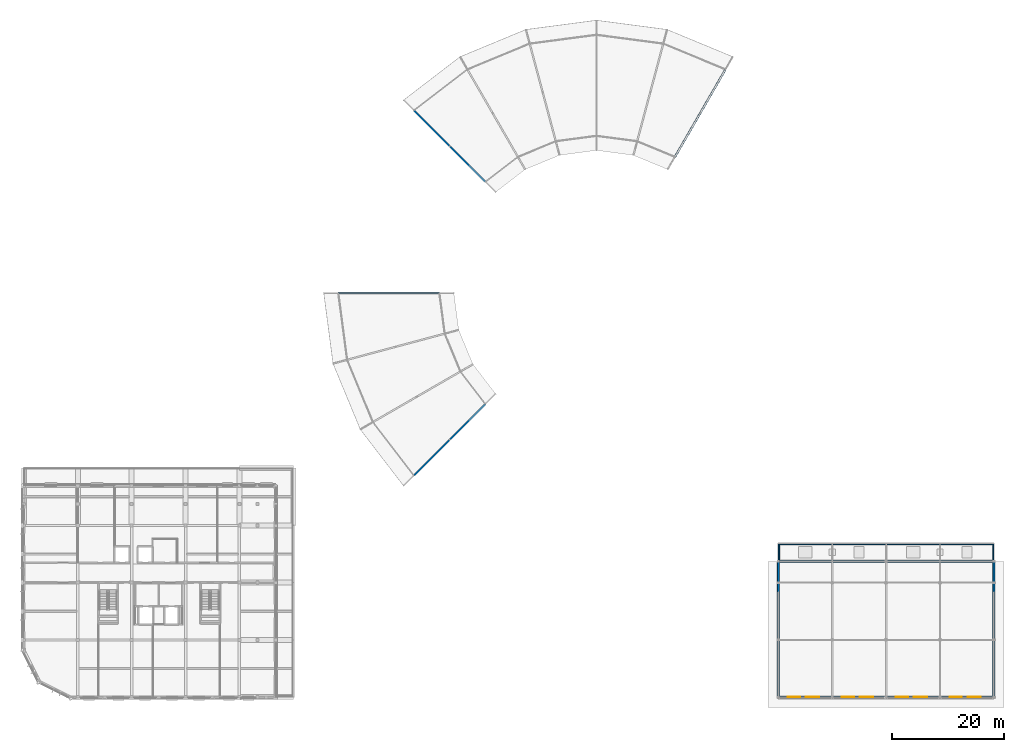
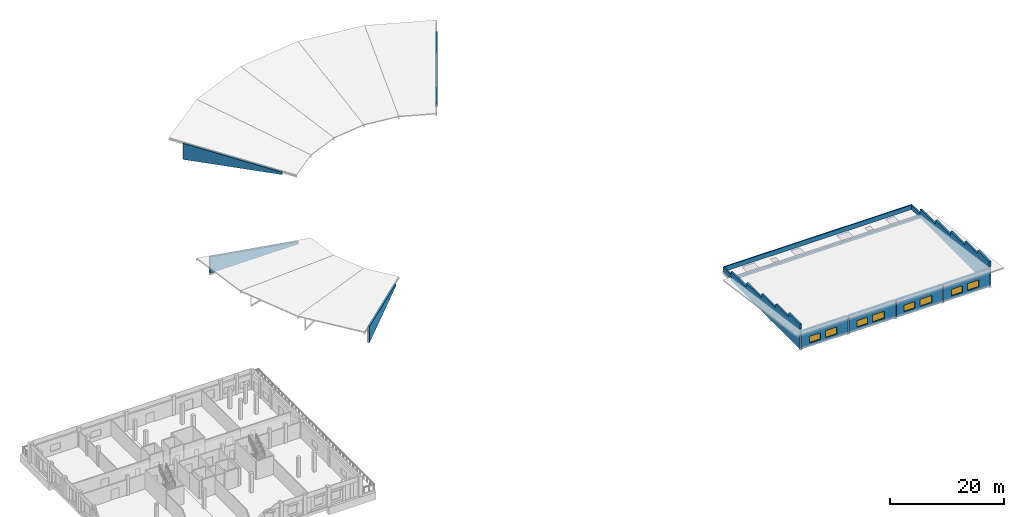
# One storey, part 62 of 70: 14 walls, 8 windows, 8 openings.
"""IFC4 building model written with IfcOpenShell, lengths in metres."""

from ifc_helpers import new_model, si_unit, direction, frame, frame_2d, origin, place, context, subcontext, project, spatial, polyline, rectangle, outline, extrude, material, layer, layer_set, type_object, element, fill, save


model = new_model("IFC4")

# Units and contexts
model_context = context("Model", 3, precision=1e-05, world=origin(), true_north=direction((0.0, 1.0)))
body_context = subcontext(model_context, "Body", "Model", "MODEL_VIEW")
ifc_project = project(units=[si_unit("LENGTHUNIT", "METRE"), si_unit("AREAUNIT", "SQUARE_METRE"), si_unit("VOLUMEUNIT", "CUBIC_METRE"), si_unit("PLANEANGLEUNIT", "RADIAN"), si_unit("MASSUNIT", "GRAM", prefix="KILO")], contexts=[model_context])

# Site, building, storey
site_placement = place(None, origin())
site = spatial("IfcSite", under=ifc_project, at=site_placement, CompositionType="ELEMENT")
building_placement = place(site_placement, origin())
building = spatial("IfcBuilding", under=site, at=building_placement, Name="Vondelvale Polytechnic", CompositionType="ELEMENT")
storey_placement = place(building_placement, frame((0.0, 0.0, 22.199951171875)))
storey = spatial("IfcBuildingStorey", under=building, at=storey_placement, Name="L05", CompositionType="ELEMENT", Elevation=22.199951171875)

# Wall, openings, windows
ifc_material_1 = material(Name="Amsterdam School iron-spot clinker clay brickwork", Category="masonry")
ifc_layer_1 = layer(ifc_material_1, 0.35009765625)
ifc_layer_set_1 = layer_set([ifc_layer_1], Name="WL-BRICK-350")
wall_type_1 = type_object("IfcWallType", Name="WL-BRICK-350", PredefinedType="SOLIDWALL", material=ifc_layer_set_1)
wall_1_placement = place(storey_placement, frame((143.89892578125, 0.0, 0.0), z_axis=(0.0, 0.0, 1.0), x_axis=(-1.0, 0.0, 0.0)))
wall_1 = element("IfcWall", 1, at=wall_1_placement, inside=storey, type_object=wall_type_1, Name="L05 exterior masonry facade wall", PredefinedType="SOLIDWALL", context=body_context, shape_type="SweptSolid", body=[
    extrude(rectangle(XDim=9.39794921875, YDim=0.35009765625, at=frame_2d((4.698974609375, 0.0))), origin(), (0.0, 0.0, 1.0), 3.825439453125),
])
opening_1_placement = place(wall_1_placement, frame((5.597900390625, 0.0, 0.699951171875)))
opening_1 = element("IfcOpeningElement", 2, at=opening_1_placement, cuts=wall_1, Name="Opening WN-0438", PredefinedType="OPENING", context=body_context, shape_type="SweptSolid", body=[
    extrude(rectangle(XDim=2.199951171875, YDim=1.39990234375, at=frame_2d((1.10009765625, 0.699951171875))), frame((0.0, 0.18505859375, 0.0), z_axis=(0.0, -1.0, 0.0), x_axis=(1.0, 0.0, 0.0)), (0.0, 0.0, 1.0), 0.3701171875),
])
opening_2_placement = place(wall_1_placement, frame((2.197998046875, 0.0, 0.699951171875)))
opening_2 = element("IfcOpeningElement", 3, at=opening_2_placement, cuts=wall_1, Name="Opening WN-0439", PredefinedType="OPENING", context=body_context, shape_type="SweptSolid", body=[
    extrude(rectangle(XDim=2.39990234375, YDim=1.5, at=frame_2d((1.199951171875, 0.75))), frame((0.0, 0.18505859375, 0.0), z_axis=(0.0, -1.0, 0.0), x_axis=(1.0, 0.0, 0.0)), (0.0, 0.0, 1.0), 0.3701171875),
])
ifc_material_2 = material(Name="Double-glazed low-E insulated architectural glass", Category="glass")
window_type_1 = type_object("IfcWindowType", Name="WN-RIB-2200x1400", PartitioningType="SINGLE_PANEL", PredefinedType="WINDOW", material=ifc_material_2)
window_1_placement = place(opening_1_placement, origin())
window_1 = element("IfcWindow", 4, at=window_1_placement, inside=storey, type_object=window_type_1, Name="L05 double-glazed architectural window WN-0438", OverallHeight=1.39990234375, OverallWidth=2.199951171875, PartitioningType="SINGLE_PANEL", PredefinedType="WINDOW", context=body_context, shape_type="SweptSolid", body=[
    extrude(rectangle(XDim=2.199951171875, YDim=1.39990234375, at=frame_2d((1.10009765625, 0.699951171875))), frame((0.0, 0.030029296875, 0.0), z_axis=(0.0, -1.0, 0.0), x_axis=(1.0, 0.0, 0.0)), (0.0, 0.0, 1.0), 0.06005859375),
])
fill(opening_1, window_1)
window_type_2 = type_object("IfcWindowType", Name="WN-RIB-2400x1500", PartitioningType="SINGLE_PANEL", PredefinedType="WINDOW", material=ifc_material_2)
window_2_placement = place(opening_2_placement, origin())
window_2 = element("IfcWindow", 5, at=window_2_placement, inside=storey, type_object=window_type_2, Name="L05 double-glazed architectural window WN-0439", OverallHeight=1.5, OverallWidth=2.39990234375, PartitioningType="SINGLE_PANEL", PredefinedType="WINDOW", context=body_context, shape_type="SweptSolid", body=[
    extrude(rectangle(XDim=2.39990234375, YDim=1.5, at=frame_2d((1.199951171875, 0.75))), frame((0.0, 0.030029296875, 0.0), z_axis=(0.0, -1.0, 0.0), x_axis=(1.0, 0.0, 0.0)), (0.0, 0.0, 1.0), 0.06005859375),
])
fill(opening_2, window_2)

wall_2_placement = place(storey_placement, frame((153.4990234375, 0.0, 0.0), z_axis=(0.0, 0.0, 1.0), x_axis=(-1.0, 0.0, 0.0)))
wall_2 = element("IfcWall", 6, at=wall_2_placement, inside=storey, type_object=wall_type_1, Name="L05 exterior masonry facade wall", PredefinedType="SOLIDWALL", context=body_context, shape_type="SweptSolid", body=[
    extrude(rectangle(XDim=9.39794921875, YDim=0.35009765625, at=frame_2d((4.698974609375, 0.0))), origin(), (0.0, 0.0, 1.0), 3.825439453125),
])
opening_3_placement = place(wall_2_placement, frame((5.597900390625, 0.0, 0.699951171875)))
opening_3 = element("IfcOpeningElement", 7, at=opening_3_placement, cuts=wall_2, Name="Opening WN-0440", PredefinedType="OPENING", context=body_context, shape_type="SweptSolid", body=[
    extrude(rectangle(XDim=2.199951171875, YDim=1.39990234375, at=frame_2d((1.10009765625, 0.699951171875))), frame((0.0, 0.18505859375, 0.0), z_axis=(0.0, -1.0, 0.0), x_axis=(1.0, 0.0, 0.0)), (0.0, 0.0, 1.0), 0.3701171875),
])
opening_4_placement = place(wall_2_placement, frame((2.197998046875, 0.0, 0.699951171875)))
opening_4 = element("IfcOpeningElement", 8, at=opening_4_placement, cuts=wall_2, Name="Opening WN-0441", PredefinedType="OPENING", context=body_context, shape_type="SweptSolid", body=[
    extrude(rectangle(XDim=2.39990234375, YDim=1.5, at=frame_2d((1.199951171875, 0.75))), frame((0.0, 0.18505859375, 0.0), z_axis=(0.0, -1.0, 0.0), x_axis=(1.0, 0.0, 0.0)), (0.0, 0.0, 1.0), 0.3701171875),
])
window_3_placement = place(opening_3_placement, origin())
window_3 = element("IfcWindow", 9, at=window_3_placement, inside=storey, type_object=window_type_1, Name="L05 double-glazed architectural window WN-0440", OverallHeight=1.39990234375, OverallWidth=2.199951171875, PartitioningType="SINGLE_PANEL", PredefinedType="WINDOW", context=body_context, shape_type="SweptSolid", body=[
    extrude(rectangle(XDim=2.199951171875, YDim=1.39990234375, at=frame_2d((1.10009765625, 0.699951171875))), frame((0.0, 0.030029296875, 0.0), z_axis=(0.0, -1.0, 0.0), x_axis=(1.0, 0.0, 0.0)), (0.0, 0.0, 1.0), 0.06005859375),
])
fill(opening_3, window_3)
window_4_placement = place(opening_4_placement, origin())
window_4 = element("IfcWindow", 10, at=window_4_placement, inside=storey, type_object=window_type_2, Name="L05 double-glazed architectural window WN-0441", OverallHeight=1.5, OverallWidth=2.39990234375, PartitioningType="SINGLE_PANEL", PredefinedType="WINDOW", context=body_context, shape_type="SweptSolid", body=[
    extrude(rectangle(XDim=2.39990234375, YDim=1.5, at=frame_2d((1.199951171875, 0.75))), frame((0.0, 0.030029296875, 0.0), z_axis=(0.0, -1.0, 0.0), x_axis=(1.0, 0.0, 0.0)), (0.0, 0.0, 1.0), 0.06005859375),
])
fill(opening_4, window_4)

wall_3_placement = place(storey_placement, frame((163.09912109375, 0.0, 0.0), z_axis=(0.0, 0.0, 1.0), x_axis=(-1.0, 0.0, 0.0)))
wall_3 = element("IfcWall", 11, at=wall_3_placement, inside=storey, type_object=wall_type_1, Name="L05 exterior masonry facade wall", PredefinedType="SOLIDWALL", context=body_context, shape_type="SweptSolid", body=[
    extrude(rectangle(XDim=9.398193359375, YDim=0.35009765625, at=frame_2d((4.69921875, 0.0))), origin(), (0.0, 0.0, 1.0), 3.825439453125),
])
opening_5_placement = place(wall_3_placement, frame((5.597900390625, 0.0, 0.699951171875)))
opening_5 = element("IfcOpeningElement", 12, at=opening_5_placement, cuts=wall_3, Name="Opening WN-0442", PredefinedType="OPENING", context=body_context, shape_type="SweptSolid", body=[
    extrude(rectangle(XDim=2.199951171875, YDim=1.39990234375, at=frame_2d((1.10009765625, 0.699951171875))), frame((0.0, 0.18505859375, 0.0), z_axis=(0.0, -1.0, 0.0), x_axis=(1.0, 0.0, 0.0)), (0.0, 0.0, 1.0), 0.3701171875),
])
opening_6_placement = place(wall_3_placement, frame((2.197998046875, 0.0, 0.699951171875)))
opening_6 = element("IfcOpeningElement", 13, at=opening_6_placement, cuts=wall_3, Name="Opening WN-0443", PredefinedType="OPENING", context=body_context, shape_type="SweptSolid", body=[
    extrude(rectangle(XDim=2.39990234375, YDim=1.5, at=frame_2d((1.199951171875, 0.75))), frame((0.0, 0.18505859375, 0.0), z_axis=(0.0, -1.0, 0.0), x_axis=(1.0, 0.0, 0.0)), (0.0, 0.0, 1.0), 0.3701171875),
])
window_5_placement = place(opening_5_placement, origin())
window_5 = element("IfcWindow", 14, at=window_5_placement, inside=storey, type_object=window_type_1, Name="L05 double-glazed architectural window WN-0442", OverallHeight=1.39990234375, OverallWidth=2.199951171875, PartitioningType="SINGLE_PANEL", PredefinedType="WINDOW", context=body_context, shape_type="SweptSolid", body=[
    extrude(rectangle(XDim=2.199951171875, YDim=1.39990234375, at=frame_2d((1.10009765625, 0.699951171875))), frame((0.0, 0.030029296875, 0.0), z_axis=(0.0, -1.0, 0.0), x_axis=(1.0, 0.0, 0.0)), (0.0, 0.0, 1.0), 0.06005859375),
])
fill(opening_5, window_5)
window_6_placement = place(opening_6_placement, origin())
window_6 = element("IfcWindow", 15, at=window_6_placement, inside=storey, type_object=window_type_2, Name="L05 double-glazed architectural window WN-0443", OverallHeight=1.5, OverallWidth=2.39990234375, PartitioningType="SINGLE_PANEL", PredefinedType="WINDOW", context=body_context, shape_type="SweptSolid", body=[
    extrude(rectangle(XDim=2.39990234375, YDim=1.5, at=frame_2d((1.199951171875, 0.75))), frame((0.0, 0.030029296875, 0.0), z_axis=(0.0, -1.0, 0.0), x_axis=(1.0, 0.0, 0.0)), (0.0, 0.0, 1.0), 0.06005859375),
])
fill(opening_6, window_6)

wall_4_placement = place(storey_placement, frame((172.698974609375, 0.0, 0.0), z_axis=(0.0, 0.0, 1.0), x_axis=(-1.0, 0.0, 0.0)))
wall_4 = element("IfcWall", 16, at=wall_4_placement, inside=storey, type_object=wall_type_1, Name="L05 exterior masonry facade wall", PredefinedType="SOLIDWALL", context=body_context, shape_type="SweptSolid", body=[
    extrude(rectangle(XDim=9.39794921875, YDim=0.35009765625, at=frame_2d((4.698974609375, 0.0))), origin(), (0.0, 0.0, 1.0), 3.825439453125),
])
opening_7_placement = place(wall_4_placement, frame((5.597900390625, 0.0, 0.699951171875)))
opening_7 = element("IfcOpeningElement", 17, at=opening_7_placement, cuts=wall_4, Name="Opening WN-0444", PredefinedType="OPENING", context=body_context, shape_type="SweptSolid", body=[
    extrude(rectangle(XDim=2.199951171875, YDim=1.39990234375, at=frame_2d((1.10009765625, 0.699951171875))), frame((0.0, 0.18505859375, 0.0), z_axis=(0.0, -1.0, 0.0), x_axis=(1.0, 0.0, 0.0)), (0.0, 0.0, 1.0), 0.3701171875),
])
opening_8_placement = place(wall_4_placement, frame((2.197998046875, 0.0, 0.699951171875)))
opening_8 = element("IfcOpeningElement", 18, at=opening_8_placement, cuts=wall_4, Name="Opening WN-0445", PredefinedType="OPENING", context=body_context, shape_type="SweptSolid", body=[
    extrude(rectangle(XDim=2.39990234375, YDim=1.5, at=frame_2d((1.199951171875, 0.75))), frame((0.0, 0.18505859375, 0.0), z_axis=(0.0, -1.0, 0.0), x_axis=(1.0, 0.0, 0.0)), (0.0, 0.0, 1.0), 0.3701171875),
])
window_7_placement = place(opening_7_placement, origin())
window_7 = element("IfcWindow", 19, at=window_7_placement, inside=storey, type_object=window_type_1, Name="L05 double-glazed architectural window WN-0444", OverallHeight=1.39990234375, OverallWidth=2.199951171875, PartitioningType="SINGLE_PANEL", PredefinedType="WINDOW", context=body_context, shape_type="SweptSolid", body=[
    extrude(rectangle(XDim=2.199951171875, YDim=1.39990234375, at=frame_2d((1.10009765625, 0.699951171875))), frame((0.0, 0.030029296875, 0.0), z_axis=(0.0, -1.0, 0.0), x_axis=(1.0, 0.0, 0.0)), (0.0, 0.0, 1.0), 0.06005859375),
])
fill(opening_7, window_7)
window_8_placement = place(opening_8_placement, origin())
window_8 = element("IfcWindow", 20, at=window_8_placement, inside=storey, type_object=window_type_2, Name="L05 double-glazed architectural window WN-0445", OverallHeight=1.5, OverallWidth=2.39990234375, PartitioningType="SINGLE_PANEL", PredefinedType="WINDOW", context=body_context, shape_type="SweptSolid", body=[
    extrude(rectangle(XDim=2.39990234375, YDim=1.5, at=frame_2d((1.199951171875, 0.75))), frame((0.0, 0.030029296875, 0.0), z_axis=(0.0, -1.0, 0.0), x_axis=(1.0, 0.0, 0.0)), (0.0, 0.0, 1.0), 0.06005859375),
])
fill(opening_8, window_8)

# Walls
wall_5_placement = place(storey_placement, frame((134.39990234375, 24.199951171875, 0.0), z_axis=(0.0, 0.0, 1.0), x_axis=(1.0, 0.0, 0.0)))
element("IfcWall", 21, at=wall_5_placement, inside=storey, type_object=wall_type_1, Name="L05 lecture roof ridge step wall", PredefinedType="SOLIDWALL", context=body_context, shape_type="SweptSolid", body=[
    extrude(rectangle(XDim=38.400146484375, YDim=0.35009765625, at=frame_2d((19.2001953125, 0.0))), origin(), (0.0, 0.0, 1.0), 0.427978515625),
])
for number, where, z_axis, x_axis, name in (
    (22, (134.39990234375, 0.0, 0.0), (0.0, 0.0, 1.0), (0.0, 1.0, 0.0), "L05 lecture wing raking brick gable W"),
    (23, (172.800048828125, 0.0, 0.0), (0.0, 0.0, 1.0), (0.0, 1.0, 0.0), "L05 lecture wing raking brick gable E"),
):
    element("IfcWall", number, at=place(storey_placement, frame(where, z_axis=z_axis, x_axis=x_axis)), inside=storey, type_object=wall_type_1, Name=name, PredefinedType="SOLIDWALL", context=body_context, shape_type="SweptSolid", body=[
        extrude(outline(polyline([(0.0, 0.0), (24.199951171875, 0.0), (24.199951171875, 1.85009765625), (18.820068359375, 1.85009765625), (18.780029296875, 2.75), (13.52001953125, 2.75), (13.47998046875, 3.60009765625), (8.52001953125, 3.60009765625), (8.47998046875, 4.449951171875), (4.02001953125, 4.449951171875), (3.97998046875, 5.25), (0.0, 5.25), (0.0, 0.0)])), frame((0.0, 0.175048828125, 0.0), z_axis=(0.0, -1.0, 0.0), x_axis=(1.0, 0.0, 0.0)), (0.0, 0.0, 1.0), 0.35009765625),
    ])
wall_6_placement = place(storey_placement, frame((116.0, 96.248779296875, 0.02001953125), z_axis=(0.0, 0.0, 1.0), x_axis=(0.5000018851, 0.866024315419, 0.0)))
element("IfcWall", 24, at=wall_6_placement, inside=storey, type_object=wall_type_1, Name="Ring stepped roof transition brick gable R04", PredefinedType="SOLIDWALL", context=body_context, shape_type="SweptSolid", body=[
    extrude(outline(polyline([(0.0, 0.0), (18.0, 0.0), (18.0, 3.451416015625), (0.0, 0.503173828125), (0.0, 0.0)])), frame((0.0, 0.175048828125, 0.0), z_axis=(0.0, -1.0, 0.0), x_axis=(1.0, 0.0, 0.0)), (0.0, 0.0, 1.0), 0.35009765625),
])
wall_7_placement = place(storey_placement, frame((82.200927734375, 91.799072265625, 0.02001953125), z_axis=(0.0, 0.0, 1.0), x_axis=(-0.707106781187, 0.707106781187, 0.0)))
element("IfcWall", 25, at=wall_7_placement, inside=storey, type_object=wall_type_1, Name="Ring stepped roof transition brick gable R09", PredefinedType="SOLIDWALL", context=body_context, shape_type="SweptSolid", body=[
    extrude(outline(polyline([(0.0, 0.0), (17.999755859375, 0.0), (18.0, 3.451416015625), (0.0, 0.503173828125), (0.0, 0.0)])), frame((0.0, 0.175048828125, 0.0), z_axis=(0.0, -1.0, 0.0), x_axis=(1.0, 0.0, 0.0)), (0.0, 0.0, 1.0), 0.35009765625),
])
wall_8_placement = place(storey_placement, frame((74.0, 72.0, 0.02001953125), z_axis=(0.0, 0.0, 1.0), x_axis=(-1.0, 0.0, 0.0)))
element("IfcWall", 26, at=wall_8_placement, inside=storey, type_object=wall_type_1, Name="Ring stepped roof transition brick gable R12", PredefinedType="SOLIDWALL", context=body_context, shape_type="SweptSolid", body=[
    extrude(outline(polyline([(0.0, 0.0), (18.0, 0.0), (18.0, 3.451416015625), (0.0, 0.503173828125), (0.0, 0.0)])), frame((0.0, 0.175048828125, 0.0), z_axis=(0.0, -1.0, 0.0), x_axis=(1.0, 0.0, 0.0)), (0.0, 0.0, 1.0), 0.35009765625),
])
wall_9_placement = place(storey_placement, frame((82.200927734375, 52.200927734375, 0.02001953125), z_axis=(0.0, 0.0, 1.0), x_axis=(-0.707106781187, -0.707106781187, 0.0)))
element("IfcWall", 27, at=wall_9_placement, inside=storey, type_object=wall_type_1, Name="Ring stepped roof transition brick gable R15", PredefinedType="SOLIDWALL", context=body_context, shape_type="SweptSolid", body=[
    extrude(outline(polyline([(0.0, 0.0), (17.999755859375, 0.0), (18.0, 3.451416015625), (0.0, 0.503173828125), (0.0, 0.0)])), frame((0.0, 0.175048828125, 0.0), z_axis=(0.0, -1.0, 0.0), x_axis=(1.0, 0.0, 0.0)), (0.0, 0.0, 1.0), 0.35009765625),
])
ifc_layer_2 = layer(ifc_material_1, 0.239990234375)
ifc_layer_set_2 = layer_set([ifc_layer_2], Name="WL-PARAPET-240")
wall_type_2 = type_object("IfcWallType", Name="WL-PARAPET-240", PredefinedType="SOLIDWALL", material=ifc_layer_set_2)
wall_10_placement = place(storey_placement, frame((134.52001953125, 24.199951171875, 0.0), z_axis=(0.0, 0.0, 1.0), x_axis=(0.0, 1.0, 0.0)))
element("IfcWall", 28, at=wall_10_placement, inside=storey, type_object=wall_type_2, Name="L05 lecture roof monitor brick parapet", PredefinedType="SOLIDWALL", context=body_context, shape_type="SweptSolid", body=[
    extrude(rectangle(XDim=3.080078125, YDim=0.239990234375, at=frame_2d((1.5400390625, 0.0))), origin(), (0.0, 0.0, 1.0), 0.949951171875),
])
wall_11_placement = place(storey_placement, frame((134.52001953125, 27.280029296875, 0.0), z_axis=(0.0, 0.0, 1.0), x_axis=(1.0, 0.0, 0.0)))
element("IfcWall", 29, at=wall_11_placement, inside=storey, type_object=wall_type_2, Name="L05 lecture roof monitor brick parapet", PredefinedType="SOLIDWALL", context=body_context, shape_type="SweptSolid", body=[
    extrude(rectangle(XDim=38.159912109375, YDim=0.239990234375, at=frame_2d((19.080078125, 0.0))), origin(), (0.0, 0.0, 1.0), 0.949951171875),
])
wall_12_placement = place(storey_placement, frame((172.679931640625, 27.280029296875, 0.0), z_axis=(0.0, 0.0, 1.0), x_axis=(0.0, -1.0, 0.0)))
element("IfcWall", 30, at=wall_12_placement, inside=storey, type_object=wall_type_2, Name="L05 lecture roof monitor brick parapet", PredefinedType="SOLIDWALL", context=body_context, shape_type="SweptSolid", body=[
    extrude(rectangle(XDim=3.080078125, YDim=0.239990234375, at=frame_2d((1.5400390625, 0.0))), origin(), (0.0, 0.0, 1.0), 0.949951171875),
])

save(model, "model.ifc")
